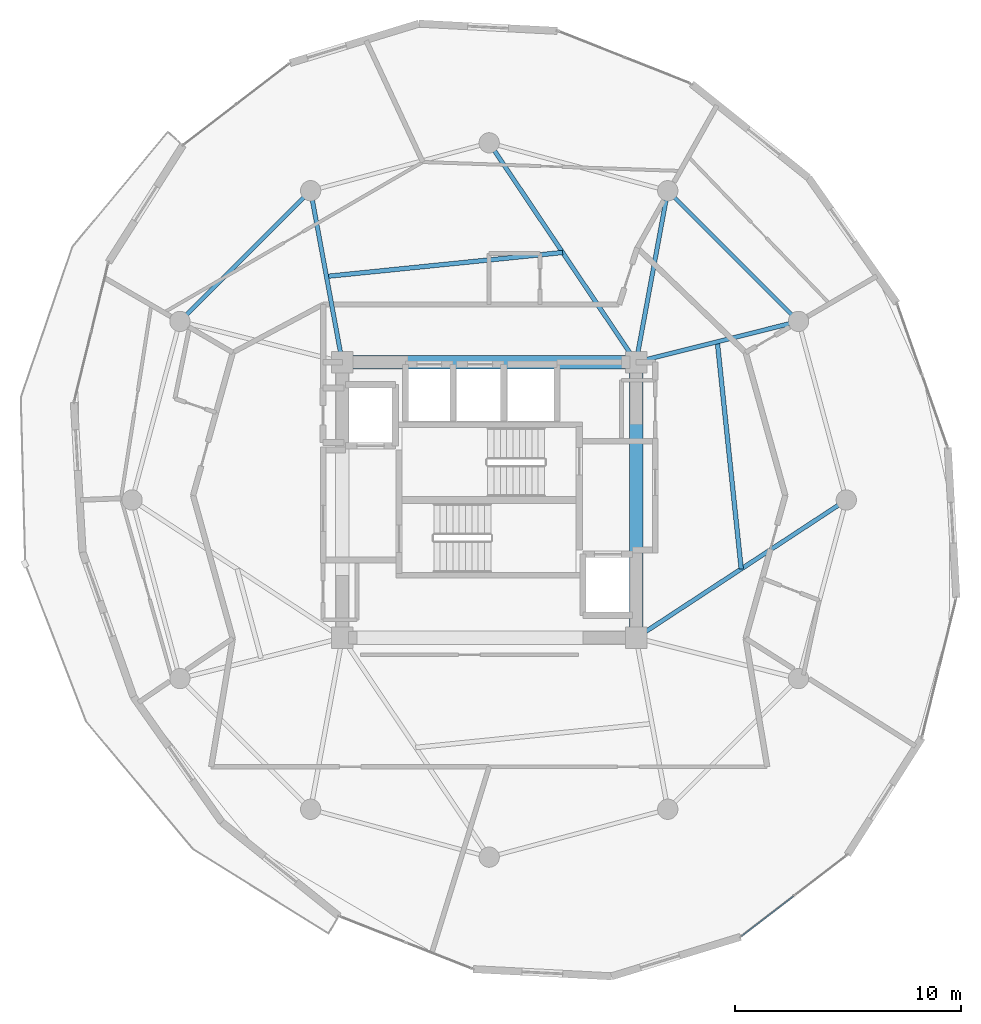
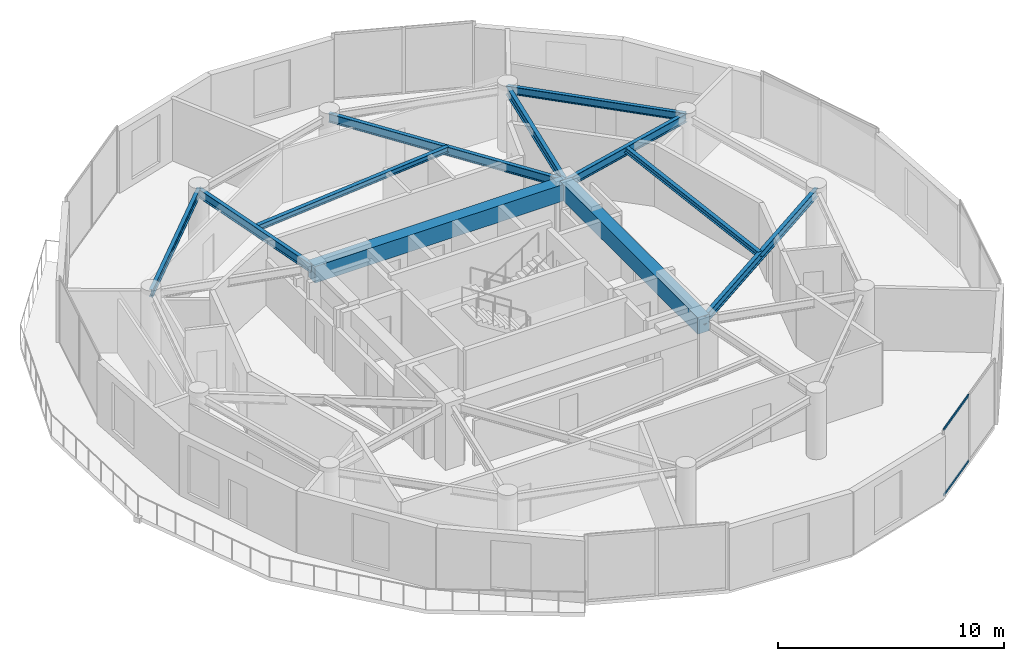
# One storey, part 7 of 18: 11 beams, 2 members, 1 element without a shape of its own.
"""IFC4 building model written with IfcOpenShell, lengths in metres."""

from ifc_helpers import new_model, si_unit, direction, frame, origin, origin_2d, place, context, subcontext, project, spatial, rectangle, hollow_rectangle, i_section, extrude, source, transform, mapped, material, layer, layer_set, material_profile, profile_set, type_object, element, aggregate, save


model = new_model("IFC4")

# Units and contexts
model_context = context("Model", 3, precision=1e-05, world=origin(), true_north=direction((0.0, 1.0)))
body_context = subcontext(model_context, "Body", "Model", "MODEL_VIEW")
ifc_project = project(units=[si_unit("LENGTHUNIT", "METRE"), si_unit("AREAUNIT", "SQUARE_METRE"), si_unit("VOLUMEUNIT", "CUBIC_METRE"), si_unit("PLANEANGLEUNIT", "RADIAN"), si_unit("MASSUNIT", "GRAM", prefix="KILO")], contexts=[model_context])

# Site, building, storey
site_placement = place(None, origin())
site = spatial("IfcSite", under=ifc_project, at=site_placement, CompositionType="ELEMENT")
building_placement = place(site_placement, origin())
building = spatial("IfcBuilding", under=site, at=building_placement, Name="Solvirekh Grand Hotel", CompositionType="ELEMENT")
storey_placement = place(building_placement, frame((0.0, 0.0, 198.39990234375)))
storey = spatial("IfcBuildingStorey", under=building, at=storey_placement, Name="L51", CompositionType="ELEMENT", Elevation=198.39990234375)

# Beams
ifc_material_1 = material(Name="Concrete C50/60", Category="concrete")
ifc_material_profile_1 = material_profile(ifc_material_1, rectangle(XDim=0.60009765625, YDim=0.89990234375, at=origin_2d()), Name="RC BEAM 600X900")
ifc_profile_set_1 = profile_set([ifc_material_profile_1], Name="Concrete C50/60")
beam_type_1 = type_object("IfcBeamType", Name="Beam_Core_RC900", PredefinedType="BEAM", material=ifc_profile_set_1)
beam_1_placement = place(storey_placement, frame((6.5, -6.10009765625, 2.91015625), z_axis=(0.0, 1.0, 0.0), x_axis=(-1.0, 0.0, 0.0)))
element("IfcBeam", 1, at=beam_1_placement, inside=storey, type_object=beam_type_1, Name="L51 core coupling ring beam 2", PredefinedType="BEAM", context=body_context, shape_type="SweptSolid", body=[
    extrude(rectangle(XDim=0.60009765625, YDim=0.89990234375, at=origin_2d()), origin(), (0.0, 0.0, 1.0), 12.2001953125),
])
beam_2_placement = place(storey_placement, frame((6.5, 6.10009765625, 2.91015625), z_axis=(-1.0, 0.0, 0.0), x_axis=(0.0, -1.0, 0.0)))
element("IfcBeam", 2, at=beam_2_placement, inside=storey, type_object=beam_type_1, Name="L51 core coupling ring beam 3", PredefinedType="BEAM", context=body_context, shape_type="SweptSolid", body=[
    extrude(rectangle(XDim=0.60009765625, YDim=0.89990234375, at=origin_2d()), origin(), (0.0, 0.0, 1.0), 13.0),
])
ifc_material_2 = material(Name="Steel S355", Category="steel")
ifc_material_profile_2 = material_profile(ifc_material_2, i_section(OverallWidth=0.194091796875, OverallDepth=0.468994140625, WebThickness=0.010986328125, FlangeThickness=0.01904296875, FilletRadius=0.012939453125, at=origin_2d()), Name="W460X106")
ifc_profile_set_2 = profile_set([ifc_material_profile_2], Name="Steel S355")
beam_type_2 = type_object("IfcBeamType", Name="Beam_Radial_W460H", PredefinedType="BEAM", material=ifc_profile_set_2)
beam_3_placement = place(storey_placement, frame((6.5, -6.10009765625, 3.125), z_axis=(0.836174064962, 0.548464158432, 0.0), x_axis=(-0.548464158432, 0.836174064962, 0.0)))
element("IfcBeam", 3, at=beam_3_placement, inside=storey, type_object=beam_type_2, Name="L51 radial floor beam R01", PredefinedType="BEAM", context=body_context, shape_type="SweptSolid", body=[
    extrude(i_section(OverallWidth=0.194091796875, OverallDepth=0.468994140625, WebThickness=0.010986328125, FlangeThickness=0.01904296875, FilletRadius=0.012939453125, at=origin_2d()), origin(), (0.0, 0.0, 1.0), 11.1220703125),
])
beam_4_placement = place(storey_placement, frame((6.5, 6.10009765625, 3.125), z_axis=(0.970014367692, 0.243047580675, 0.0), x_axis=(-0.243047580675, 0.970014367692, 0.0)))
element("IfcBeam", 4, at=beam_4_placement, inside=storey, type_object=beam_type_2, Name="L51 radial floor beam R02", PredefinedType="BEAM", context=body_context, shape_type="SweptSolid", body=[
    extrude(i_section(OverallWidth=0.194091796875, OverallDepth=0.468994140625, WebThickness=0.010986328125, FlangeThickness=0.01904296875, FilletRadius=0.012939453125, at=origin_2d()), origin(), (0.0, 0.0, 1.0), 7.4052734375),
])
beam_5_placement = place(storey_placement, frame((6.5, 6.10009765625, 3.125), z_axis=(0.181542769111, 0.983383049978, 0.0), x_axis=(-0.983383049978, 0.181542769111, 0.0)))
element("IfcBeam", 5, at=beam_5_placement, inside=storey, type_object=beam_type_2, Name="L51 radial floor beam R03", PredefinedType="BEAM", context=body_context, shape_type="SweptSolid", body=[
    extrude(i_section(OverallWidth=0.194091796875, OverallDepth=0.468994140625, WebThickness=0.010986328125, FlangeThickness=0.01904296875, FilletRadius=0.012939453125, at=origin_2d()), origin(), (0.0, 0.0, 1.0), 7.711181640625),
])
beam_6_placement = place(storey_placement, frame((6.5, 6.10009765625, 3.125), z_axis=(-0.556676926176, 0.830729077295, 0.0), x_axis=(-0.830729077295, -0.556676926176, 0.0)))
element("IfcBeam", 6, at=beam_6_placement, inside=storey, type_object=beam_type_2, Name="L51 radial floor beam R04", PredefinedType="BEAM", context=body_context, shape_type="SweptSolid", body=[
    extrude(i_section(OverallWidth=0.194091796875, OverallDepth=0.468994140625, WebThickness=0.010986328125, FlangeThickness=0.01904296875, FilletRadius=0.012939453125, at=origin_2d()), origin(), (0.0, 0.0, 1.0), 11.676513671875),
])
beam_7_placement = place(storey_placement, frame((-6.5, 6.10009765625, 3.125), z_axis=(-0.181542769111, 0.983383049978, 0.0), x_axis=(-0.983383049978, -0.181542769111, 0.0)))
element("IfcBeam", 7, at=beam_7_placement, inside=storey, type_object=beam_type_2, Name="L51 radial floor beam R05", PredefinedType="BEAM", context=body_context, shape_type="SweptSolid", body=[
    extrude(i_section(OverallWidth=0.194091796875, OverallDepth=0.468994140625, WebThickness=0.010986328125, FlangeThickness=0.01904296875, FilletRadius=0.012939453125, at=origin_2d()), origin(), (0.0, 0.0, 1.0), 7.711181640625),
])
ifc_material_profile_3 = material_profile(ifc_material_2, i_section(OverallWidth=0.202880859375, OverallDepth=0.302978515625, WebThickness=0.008056640625, FlangeThickness=0.012939453125, FilletRadius=0.010009765625, at=origin_2d()), Name="W310X60")
ifc_profile_set_3 = profile_set([ifc_material_profile_3], Name="Steel S355")
beam_type_3 = type_object("IfcBeamType", Name="Joist_Floor_W310", PredefinedType="JOIST", material=ifc_profile_set_3)
beam_8_placement = place(storey_placement, frame((11.14990234375, -3.050048828125, 3.2080078125), z_axis=(-0.1047765874, 0.994495785176, 0.0), x_axis=(-0.994495785176, -0.1047765874, 0.0)))
element("IfcBeam", 8, at=beam_8_placement, inside=storey, type_object=beam_type_3, Name="L51 secondary composite floor joist 1", PredefinedType="JOIST", context=body_context, shape_type="SweptSolid", body=[
    extrude(i_section(OverallWidth=0.202880859375, OverallDepth=0.302978515625, WebThickness=0.008056640625, FlangeThickness=0.012939453125, FilletRadius=0.010009765625, at=origin_2d()), origin(), (0.0, 0.0, 1.0), 10.105712890625),
])
beam_9_placement = place(storey_placement, frame((3.25, 10.949951171875, 3.2080078125), z_axis=(-0.994915167737, -0.100716478326, 0.0), x_axis=(0.100716478326, -0.994915167737, 0.0)))
element("IfcBeam", 9, at=beam_9_placement, inside=storey, type_object=beam_type_3, Name="L51 secondary composite floor joist 4", PredefinedType="JOIST", context=body_context, shape_type="SweptSolid", body=[
    extrude(i_section(OverallWidth=0.202880859375, OverallDepth=0.302978515625, WebThickness=0.008056640625, FlangeThickness=0.012939453125, FilletRadius=0.010009765625, at=origin_2d()), origin(), (0.0, 0.0, 1.0), 10.50341796875),
])
ifc_material_profile_4 = material_profile(ifc_material_2, i_section(OverallWidth=0.180908203125, OverallDepth=0.4169921875, WebThickness=0.010009765625, FlangeThickness=0.01611328125, FilletRadius=0.011962890625, at=origin_2d()), Name="W410X85")
ifc_profile_set_4 = profile_set([ifc_material_profile_4], Name="Steel S355")
beam_type_4 = type_object("IfcBeamType", Name="Spandrel_Ring_W410", PredefinedType="SPANDREL", material=ifc_profile_set_4)
for number, where, z_axis, x_axis, name in (
    (10, (13.68310546875, 7.89990234375, 3.152099609375), (-0.707106781187, 0.707106781187, 0.0), (-0.707106781187, -0.707106781187, 0.0), "L51 perimeter spandrel beam 2"),
    (11, (-7.89990234375, 13.68310546875, 3.152099609375), (-0.707106781187, -0.707106781187, 0.0), (0.707106781187, -0.707106781187, 0.0), "L51 perimeter spandrel beam 5"),
):
    element("IfcBeam", number, at=place(storey_placement, frame(where, z_axis=z_axis, x_axis=x_axis)), inside=storey, type_object=beam_type_4, Name=name, PredefinedType="SPANDREL", context=body_context, shape_type="SweptSolid", body=[
        extrude(i_section(OverallWidth=0.180908203125, OverallDepth=0.4169921875, WebThickness=0.010009765625, FlangeThickness=0.01611328125, FilletRadius=0.011962890625, at=origin_2d()), origin(), (0.0, 0.0, 1.0), 8.1787109375),
    ])

# Curtain wall, members
ifc_material_3 = material(Name="Anodized Bronze Aluminium 6063-T6", Category="aluminium")
ifc_layer = layer(ifc_material_3, 0.159912109375)
ifc_layer_set = layer_set([ifc_layer], Name="Anodized Bronze Aluminium 6063-T6")
curtain_wall_type = type_object("IfcCurtainWallType", Name="CW_Sys4_HighZoneFlushBronzeCW", PredefinedType="NOTDEFINED", material=ifc_layer_set)
curtain_wall_placement = place(storey_placement, origin())
curtain_wall = element("IfcCurtainWall", 12, at=curtain_wall_placement, inside=storey, type_object=curtain_wall_type, Name="L51 unitised bronze-glass curtain wall CW-L51-C01", PredefinedType="NOTDEFINED")
ifc_material_profile_5 = material_profile(ifc_material_3, hollow_rectangle(XDim=0.054931640625, YDim=0.1201171875, WallThickness=0.00390625, at=origin_2d()), Name="ALU RHS 120X55X4")
ifc_profile_set_5 = profile_set([ifc_material_profile_5], Name="Anodized Bronze Aluminium 6063-T6")
member_type = type_object("IfcMemberType", Name="CWTransom_Sys4", PredefinedType="USERDEFINED", material=ifc_profile_set_5)
shared_shape = source(origin(), body_context, "Body", "SweptSolid", [
    extrude(hollow_rectangle(XDim=0.054931640625, YDim=0.1201171875, WallThickness=0.00390625, at=origin_2d()), origin(), (0.0, 0.0, 1.0), 2.893310546875),
])
member_1_placement = place(storey_placement, frame((11.16650390625, -19.29443359375, 0.027587890625), z_axis=(0.792743171429, 0.609555792486, 0.0), x_axis=(-0.609555792486, 0.792743171429, 0.0)))
member_1 = element("IfcMember", 13, at=member_1_placement, type_object=member_type, Name="U04 transom 1.1", ObjectType="TRANSOM", PredefinedType="USERDEFINED", context=body_context, shape_type="MappedRepresentation", body=[
    mapped(shared_shape, transform((0.0, 0.0, 0.0), x_axis=(1.0, 0.0, 0.0), y_axis=(0.0, 1.0, 0.0), z_axis=(0.0, 0.0, 1.0), scale=1.0)),
])
member_2_placement = place(storey_placement, frame((11.16650390625, -19.29443359375, 3.572509765625), z_axis=(0.792743171429, 0.609555792486, 0.0), x_axis=(-0.609555792486, 0.792743171429, 0.0)))
member_2 = element("IfcMember", 14, at=member_2_placement, type_object=member_type, Name="U04 transom 1.2", ObjectType="TRANSOM", PredefinedType="USERDEFINED", context=body_context, shape_type="MappedRepresentation", body=[
    mapped(shared_shape, transform((0.0, 0.0, 0.0), x_axis=(1.0, 0.0, 0.0), y_axis=(0.0, 1.0, 0.0), z_axis=(0.0, 0.0, 1.0), scale=1.0)),
])
aggregate(curtain_wall, [member_1, member_2])

save(model, "model.ifc")
